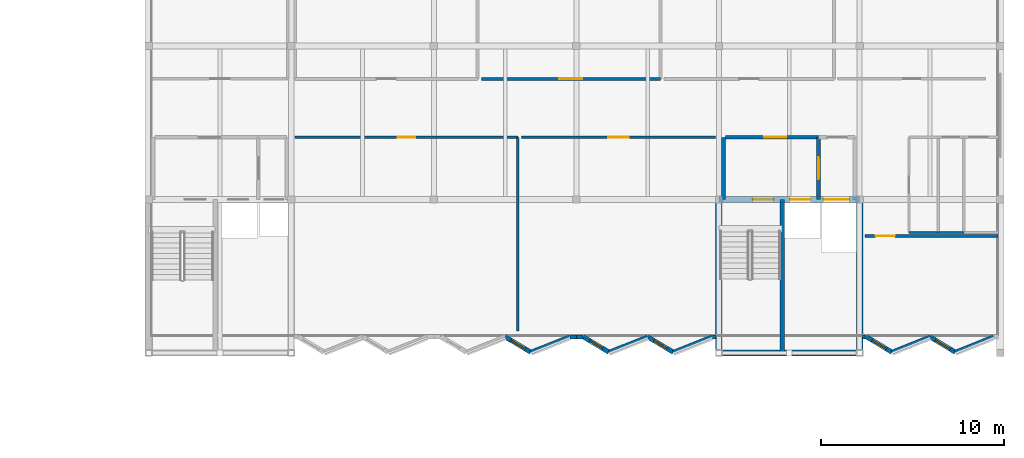
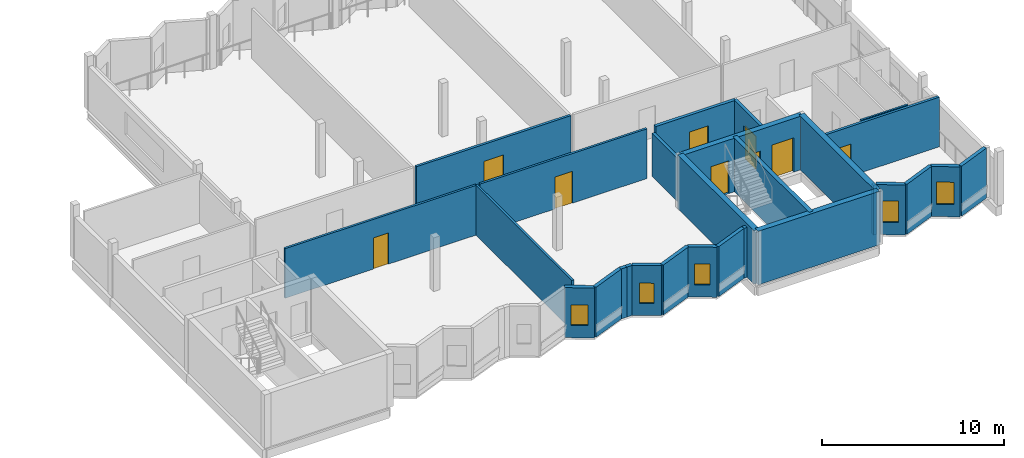
# One storey, part 8 of 15: 29 walls, 9 doors, 5 windows, 14 openings.
"""IFC4 building model written with IfcOpenShell, lengths in metres."""

from ifc_helpers import new_model, si_unit, direction, frame, frame_2d, origin, place, context, subcontext, project, spatial, rectangle, extrude, material, layer, layer_set, type_object, element, fill, save


model = new_model("IFC4")

# Units and contexts
model_context = context("Model", 3, precision=1e-05, world=origin(), true_north=direction((0.0, 1.0)))
body_context = subcontext(model_context, "Body", "Model", "MODEL_VIEW")
ifc_project = project(units=[si_unit("LENGTHUNIT", "METRE"), si_unit("AREAUNIT", "SQUARE_METRE"), si_unit("VOLUMEUNIT", "CUBIC_METRE"), si_unit("PLANEANGLEUNIT", "RADIAN"), si_unit("MASSUNIT", "GRAM", prefix="KILO")], contexts=[model_context])

# Site, building, storey
site_placement = place(None, origin())
site = spatial("IfcSite", under=ifc_project, at=site_placement, CompositionType="ELEMENT")
building_placement = place(site_placement, origin())
building = spatial("IfcBuilding", under=site, at=building_placement, Name="Vharandega Faculty of Natural Sciences", CompositionType="ELEMENT")
storey_placement = place(building_placement, frame((0.0, 0.0, 32.39990234375)))
storey = spatial("IfcBuildingStorey", under=building, at=storey_placement, Name="L08", CompositionType="ELEMENT", Elevation=32.39990234375)

# Walls
ifc_material_1 = material(Name="Concrete C40/50", Category="concrete")
ifc_layer_1 = layer(ifc_material_1, 0.35009765625, Name="Concrete C40/50")
ifc_layer_set_1 = layer_set([ifc_layer_1], Name="Concrete C40/50")
wall_type_1 = type_object("IfcWallType", Name="Core Shear Wall 350", PredefinedType="SHEAR", material=ifc_layer_set_1)
wall_1_placement = place(storey_placement, frame((146.0, 64.0, 0.0), z_axis=(0.0, 0.0, 1.0), x_axis=(1.0, 0.0, 0.0)))
element("IfcWall", 1, at=wall_1_placement, inside=storey, type_object=wall_type_1, Name="Interior Wall CW-C2-L08-S", PredefinedType="SHEAR", context=body_context, shape_type="SweptSolid", body=[
    extrude(rectangle(XDim=7.699951171875, YDim=0.35009765625, at=frame_2d((3.85009765625, 0.0))), origin(), (0.0, 0.0, 1.0), 3.60009765625),
])
for number, where, z_axis, x_axis, name in (
    (2, (146.0, 64.0, 0.0), (0.0, 0.0, 1.0), (0.0, 1.0, 0.0), "Interior Wall CW-C2-L08-W"),
    (3, (153.699951171875, 64.0, 0.0), (0.0, 0.0, 1.0), (0.0, 1.0, 0.0), "Interior Wall CW-C2-L08-E"),
):
    element("IfcWall", number, at=place(storey_placement, frame(where, z_axis=z_axis, x_axis=x_axis)), inside=storey, type_object=wall_type_1, Name=name, PredefinedType="SHEAR", context=body_context, shape_type="SweptSolid", body=[
        extrude(rectangle(XDim=8.39990234375, YDim=0.35009765625, at=frame_2d((4.199951171875, 0.0))), origin(), (0.0, 0.0, 1.0), 3.60009765625),
    ])

# Wall, openings, doors
wall_2_placement = place(storey_placement, frame((146.0, 72.39990234375, 0.0), z_axis=(0.0, 0.0, 1.0), x_axis=(1.0, 0.0, 0.0)))
wall_2 = element("IfcWall", 4, at=wall_2_placement, inside=storey, type_object=wall_type_1, Name="Interior Wall CW-C2-L08-N", PredefinedType="SHEAR", context=body_context, shape_type="SweptSolid", body=[
    extrude(rectangle(XDim=7.699951171875, YDim=0.35009765625, at=frame_2d((3.85009765625, 0.0))), origin(), (0.0, 0.0, 1.0), 3.60009765625),
])
opening_1_placement = place(wall_2_placement, frame((1.85009765625, 0.0, 0.0)))
opening_1 = element("IfcOpeningElement", 5, at=opening_1_placement, cuts=wall_2, Name="Opening FD1", PredefinedType="OPENING", context=body_context, shape_type="SweptSolid", body=[
    extrude(rectangle(XDim=1.14990234375, YDim=2.199951171875, at=frame_2d((0.574951171875, 1.10009765625))), frame((0.0, 0.18505859375, 0.0), z_axis=(0.0, -1.0, 0.0), x_axis=(1.0, 0.0, 0.0)), (0.0, 0.0, 1.0), 0.3701171875),
])
opening_2_placement = place(wall_2_placement, frame((3.89990234375, 0.0, 0.0)))
opening_2 = element("IfcOpeningElement", 6, at=opening_2_placement, cuts=wall_2, Name="Opening LD-FL2-L08", PredefinedType="OPENING", context=body_context, shape_type="SweptSolid", body=[
    extrude(rectangle(XDim=1.10009765625, YDim=2.14990234375, at=frame_2d((0.550048828125, 1.074951171875))), frame((0.0, 0.18505859375, 0.0), z_axis=(0.0, -1.0, 0.0), x_axis=(1.0, 0.0, 0.0)), (0.0, 0.0, 1.0), 0.3701171875),
])
opening_3_placement = place(wall_2_placement, frame((5.719970703125, 0.0, 0.0)))
opening_3 = element("IfcOpeningElement", 7, at=opening_3_placement, cuts=wall_2, Name="Opening LD-LG1-L08", PredefinedType="OPENING", context=body_context, shape_type="SweptSolid", body=[
    extrude(rectangle(XDim=1.39990234375, YDim=2.300048828125, at=frame_2d((0.699951171875, 1.14990234375))), frame((0.0, 0.18505859375, 0.0), z_axis=(0.0, -1.0, 0.0), x_axis=(1.0, 0.0, 0.0)), (0.0, 0.0, 1.0), 0.3701171875),
])
ifc_material_2 = material(Name="Solid-core hardwood timber fire door", Category="wood")
door_type_1 = type_object("IfcDoorType", Name="FD1-STAIR-1150x2200", OperationType="NOTDEFINED", PredefinedType="DOOR", material=ifc_material_2)
door_1_placement = place(opening_1_placement, origin())
door_1 = element("IfcDoor", 8, at=door_1_placement, inside=storey, type_object=door_type_1, Name="Stair ST2 Fire Door FD1", OperationType="SINGLE_SWING_LEFT", OverallHeight=2.199951171875, OverallWidth=1.14990234375, PredefinedType="DOOR", context=body_context, shape_type="SweptSolid", body=[
    extrude(rectangle(XDim=1.14990234375, YDim=2.199951171875, at=frame_2d((0.574951171875, 1.10009765625))), frame((0.0, 0.02490234375, 0.0), z_axis=(0.0, -1.0, 0.0), x_axis=(1.0, 0.0, 0.0)), (0.0, 0.0, 1.0), 0.050048828125),
])
fill(opening_1, door_1)
ifc_material_3 = material(Name="Brushed stainless steel sliding landing door", Category="steel")
door_type_2 = type_object("IfcDoorType", Name="LD1-FFLIFT-SLIDING-1100x2150", OperationType="DOUBLE_DOOR_SLIDING", PredefinedType="DOOR", material=ifc_material_3)
door_2_placement = place(opening_2_placement, origin())
door_2 = element("IfcDoor", 9, at=door_2_placement, inside=storey, type_object=door_type_2, Name="Lift Landing Door LD-FL2-L08", OperationType="DOUBLE_DOOR_SLIDING", OverallHeight=2.14990234375, OverallWidth=1.10009765625, PredefinedType="DOOR", context=body_context, shape_type="SweptSolid", body=[
    extrude(rectangle(XDim=1.10009765625, YDim=2.14990234375, at=frame_2d((0.550048828125, 1.074951171875))), frame((0.0, 0.02490234375, 0.0), z_axis=(0.0, -1.0, 0.0), x_axis=(1.0, 0.0, 0.0)), (0.0, 0.0, 1.0), 0.050048828125),
])
fill(opening_2, door_2)
ifc_material_4 = material(Name="Brushed stainless steel sliding landing door", Category="steel")
door_type_3 = type_object("IfcDoorType", Name="LD3-GOODSLIFT-SLIDING-1400x2300", OperationType="DOUBLE_DOOR_SLIDING", PredefinedType="DOOR", material=ifc_material_4)
door_3_placement = place(opening_3_placement, origin())
door_3 = element("IfcDoor", 10, at=door_3_placement, inside=storey, type_object=door_type_3, Name="Lift Landing Door LD-LG1-L08", OperationType="DOUBLE_DOOR_SLIDING", OverallHeight=2.300048828125, OverallWidth=1.39990234375, PredefinedType="DOOR", context=body_context, shape_type="SweptSolid", body=[
    extrude(rectangle(XDim=1.39990234375, YDim=2.300048828125, at=frame_2d((0.699951171875, 1.14990234375))), frame((0.0, 0.02490234375, 0.0), z_axis=(0.0, -1.0, 0.0), x_axis=(1.0, 0.0, 0.0)), (0.0, 0.0, 1.0), 0.050048828125),
])
fill(opening_3, door_3)

# Wall, opening, door
ifc_material_5 = material(Name="Concrete C40/50", Category="concrete")
ifc_layer_2 = layer(ifc_material_5, 0.199951171875, Name="Concrete C40/50")
ifc_layer_set_2 = layer_set([ifc_layer_2], Name="Concrete C40/50")
wall_type_2 = type_object("IfcWallType", Name="Firefighting Lobby Wall 200", PredefinedType="PARTITIONING", material=ifc_layer_set_2)
wall_3_placement = place(storey_placement, frame((146.35009765625, 75.800048828125, 0.0), z_axis=(0.0, 0.0, 1.0), x_axis=(1.0, 0.0, 0.0)))
wall_3 = element("IfcWall", 11, at=wall_3_placement, inside=storey, type_object=wall_type_2, Name="Interior Wall PW-FFL-C2-L08-N", PredefinedType="PARTITIONING", context=body_context, shape_type="SweptSolid", body=[
    extrude(rectangle(XDim=5.099853515625, YDim=0.199951171875, at=frame_2d((2.5498046875, 0.0))), origin(), (0.0, 0.0, 1.0), 3.320068359375),
])
opening_4_placement = place(wall_3_placement, frame((2.125, 0.0, 0.0)))
opening_4 = element("IfcOpeningElement", 12, at=opening_4_placement, cuts=wall_3, Name="Opening FD2", PredefinedType="OPENING", context=body_context, shape_type="SweptSolid", body=[
    extrude(rectangle(XDim=1.199951171875, YDim=2.199951171875, at=frame_2d((0.60009765625, 1.10009765625))), frame((0.0, 0.10986328125, 0.0), z_axis=(0.0, -1.0, 0.0), x_axis=(1.0, 0.0, 0.0)), (0.0, 0.0, 1.0), 0.219970703125),
])
ifc_material_6 = material(Name="Solid-core hardwood timber fire door", Category="wood")
door_type_4 = type_object("IfcDoorType", Name="FD2-FFLOBBY-1200x2200", OperationType="NOTDEFINED", PredefinedType="DOOR", material=ifc_material_6)
door_4_placement = place(opening_4_placement, origin())
door_4 = element("IfcDoor", 13, at=door_4_placement, inside=storey, type_object=door_type_4, Name="Firefighting Lobby C2 Door FD2", OperationType="SINGLE_SWING_RIGHT", OverallHeight=2.199951171875, OverallWidth=1.199951171875, PredefinedType="DOOR", context=body_context, shape_type="SweptSolid", body=[
    extrude(rectangle(XDim=1.199951171875, YDim=2.199951171875, at=frame_2d((0.60009765625, 1.10009765625))), frame((0.0, 0.02490234375, 0.0), z_axis=(0.0, -1.0, 0.0), x_axis=(1.0, 0.0, 0.0)), (0.0, 0.0, 1.0), 0.050048828125),
])
fill(opening_4, door_4)

# Wall
wall_4_placement = place(storey_placement, frame((146.25, 72.39990234375, 0.0), z_axis=(0.0, 0.0, 1.0), x_axis=(0.0, 1.0, 0.0)))
element("IfcWall", 14, at=wall_4_placement, inside=storey, type_object=wall_type_2, Name="Interior Wall PW-FFL-C2-L08-W", PredefinedType="PARTITIONING", context=body_context, shape_type="SweptSolid", body=[
    extrude(rectangle(XDim=3.400146484375, YDim=0.199951171875, at=frame_2d((1.7001953125, 0.0))), origin(), (0.0, 0.0, 1.0), 2.880126953125),
])

# Wall, opening, door
wall_5_placement = place(storey_placement, frame((151.449951171875, 72.39990234375, 0.0), z_axis=(0.0, 0.0, 1.0), x_axis=(0.0, 1.0, 0.0)))
wall_5 = element("IfcWall", 15, at=wall_5_placement, inside=storey, type_object=wall_type_2, Name="Interior Wall PW-FFL-C2-L08-E", PredefinedType="PARTITIONING", context=body_context, shape_type="SweptSolid", body=[
    extrude(rectangle(XDim=3.400146484375, YDim=0.199951171875, at=frame_2d((1.7001953125, 0.0))), origin(), (0.0, 0.0, 1.0), 3.320068359375),
])
opening_5_placement = place(wall_5_placement, frame((1.10009765625, 0.0, 0.0)))
opening_5 = element("IfcOpeningElement", 16, at=opening_5_placement, cuts=wall_5, Name="Opening FD2", PredefinedType="OPENING", context=body_context, shape_type="SweptSolid", body=[
    extrude(rectangle(XDim=1.199951171875, YDim=2.199951171875, at=frame_2d((0.60009765625, 1.10009765625))), frame((0.0, 0.10986328125, 0.0), z_axis=(0.0, -1.0, 0.0), x_axis=(1.0, 0.0, 0.0)), (0.0, 0.0, 1.0), 0.219970703125),
])
door_5_placement = place(opening_5_placement, origin())
door_5 = element("IfcDoor", 17, at=door_5_placement, inside=storey, type_object=door_type_4, Name="Lobby Interconnect C2 Door FD2", OperationType="SINGLE_SWING_LEFT", OverallHeight=2.199951171875, OverallWidth=1.199951171875, PredefinedType="DOOR", context=body_context, shape_type="SweptSolid", body=[
    extrude(rectangle(XDim=1.199951171875, YDim=2.199951171875, at=frame_2d((0.60009765625, 1.10009765625))), frame((0.0, 0.02490234375, 0.0), z_axis=(0.0, -1.0, 0.0), x_axis=(1.0, 0.0, 0.0)), (0.0, 0.0, 1.0), 0.050048828125),
])
fill(opening_5, door_5)

ifc_material_7 = material(Name="Gypsum fire-board on steel stud", Category="steel")
ifc_layer_3 = layer(ifc_material_7, 0.159912109375, Name="Gypsum fire-board on steel stud")
ifc_layer_set_3 = layer_set([ifc_layer_3], Name="Gypsum fire-board on steel stud")
wall_type_3 = type_object("IfcWallType", Name="Laboratory Fire Corridor Wall 160", PredefinedType="PARTITIONING", material=ifc_layer_set_3)
wall_6_placement = place(storey_placement, frame((154.0, 70.39990234375, 0.0), z_axis=(0.0, 0.0, 1.0), x_axis=(1.0, 0.0, 0.0)))
wall_6 = element("IfcWall", 18, at=wall_6_placement, inside=storey, type_object=wall_type_3, Name="Interior Wall PW-L08-R07N", PredefinedType="PARTITIONING", context=body_context, shape_type="SweptSolid", body=[
    extrude(rectangle(XDim=7.260009765625, YDim=0.159912109375, at=frame_2d((3.6298828125, 0.0))), origin(), (0.0, 0.0, 1.0), 3.340087890625),
])
opening_6_placement = place(wall_6_placement, frame((0.574951171875, 0.0, 0.0)))
opening_6 = element("IfcOpeningElement", 19, at=opening_6_placement, cuts=wall_6, Name="Opening FD4", PredefinedType="OPENING", context=body_context, shape_type="SweptSolid", body=[
    extrude(rectangle(XDim=1.050048828125, YDim=2.14990234375, at=frame_2d((0.52490234375, 1.074951171875))), frame((0.0, 0.08984375, 0.0), z_axis=(0.0, -1.0, 0.0), x_axis=(1.0, 0.0, 0.0)), (0.0, 0.0, 1.0), 0.179931640625),
])
ifc_material_8 = material(Name="Solid-core hardwood timber fire door", Category="wood")
door_type_5 = type_object("IfcDoorType", Name="FD4-LAB-SGL-1050x2150", OperationType="NOTDEFINED", PredefinedType="DOOR", material=ifc_material_8)
door_6_placement = place(opening_6_placement, origin())
door_6 = element("IfcDoor", 20, at=door_6_placement, inside=storey, type_object=door_type_5, Name="L08 Laboratory Reagent Store Door FD4", OperationType="SINGLE_SWING_RIGHT", OverallHeight=2.14990234375, OverallWidth=1.050048828125, PredefinedType="DOOR", context=body_context, shape_type="SweptSolid", body=[
    extrude(rectangle(XDim=1.050048828125, YDim=2.14990234375, at=frame_2d((0.52490234375, 1.074951171875))), frame((0.0, 0.02490234375, 0.0), z_axis=(0.0, -1.0, 0.0), x_axis=(1.0, 0.0, 0.0)), (0.0, 0.0, 1.0), 0.050048828125),
])
fill(opening_6, door_6)

wall_7_placement = place(storey_placement, frame((133.0, 79.0, 0.0), z_axis=(0.0, 0.0, 1.0), x_axis=(1.0, 0.0, 0.0)))
wall_7 = element("IfcWall", 21, at=wall_7_placement, inside=storey, type_object=wall_type_3, Name="Interior Wall PW-L08-R09S", PredefinedType="PARTITIONING", context=body_context, shape_type="SweptSolid", body=[
    extrude(rectangle(XDim=9.800048828125, YDim=0.159912109375, at=frame_2d((4.89990234375, 0.0))), origin(), (0.0, 0.0, 1.0), 3.340087890625),
])
opening_7_placement = place(wall_7_placement, frame((4.27490234375, 0.0, 0.0)))
opening_7 = element("IfcOpeningElement", 22, at=opening_7_placement, cuts=wall_7, Name="Opening D0359", PredefinedType="OPENING", context=body_context, shape_type="SweptSolid", body=[
    extrude(rectangle(XDim=1.25, YDim=2.199951171875, at=frame_2d((0.625, 1.10009765625))), frame((0.0, 0.08984375, 0.0), z_axis=(0.0, -1.0, 0.0), x_axis=(1.0, 0.0, 0.0)), (0.0, 0.0, 1.0), 0.179931640625),
])
ifc_material_9 = material(Name="Solid-core hardwood timber fire door", Category="wood")
door_type_6 = type_object("IfcDoorType", Name="ID13-PREP-1250x2200", OperationType="NOTDEFINED", PredefinedType="DOOR", material=ifc_material_9)
door_7_placement = place(opening_7_placement, origin())
door_7 = element("IfcDoor", 23, at=door_7_placement, inside=storey, type_object=door_type_6, Name="Hydrogeology and Water Quality Laboratory Door D0359", OperationType="SINGLE_SWING_RIGHT", OverallHeight=2.199951171875, OverallWidth=1.25, PredefinedType="DOOR", context=body_context, shape_type="SweptSolid", body=[
    extrude(rectangle(XDim=1.25, YDim=2.199951171875, at=frame_2d((0.625, 1.10009765625))), frame((0.0, 0.02490234375, 0.0), z_axis=(0.0, -1.0, 0.0), x_axis=(1.0, 0.0, 0.0)), (0.0, 0.0, 1.0), 0.050048828125),
])
fill(opening_7, door_7)

# Wall
ifc_material_10 = material(Name="Concrete C40/50", Category="concrete")
ifc_layer_4 = layer(ifc_material_10, 0.260009765625, Name="Concrete C40/50")
ifc_layer_set_4 = layer_set([ifc_layer_4], Name="Concrete C40/50")
wall_type_4 = type_object("IfcWallType", Name="Lift Shaft Shear Wall 260", PredefinedType="SHEAR", material=ifc_layer_set_4)
wall_8_placement = place(storey_placement, frame((149.4599609375, 64.0, 0.0), z_axis=(0.0, 0.0, 1.0), x_axis=(0.0, 1.0, 0.0)))
element("IfcWall", 24, at=wall_8_placement, inside=storey, type_object=wall_type_4, Name="Interior Wall CW-C2-L08-DIV", PredefinedType="SHEAR", context=body_context, shape_type="SweptSolid", body=[
    extrude(rectangle(XDim=8.39990234375, YDim=0.260009765625, at=frame_2d((4.199951171875, 0.0))), origin(), (0.0, 0.0, 1.0), 3.60009765625),
])

# Wall, opening, door
ifc_material_11 = material(Name="Gypsum acoustic partition", Category="gypsum")
ifc_layer_5 = layer(ifc_material_11, 0.139892578125, Name="Gypsum acoustic partition")
ifc_layer_set_5 = layer_set([ifc_layer_5], Name="Gypsum acoustic partition")
wall_type_5 = type_object("IfcWallType", Name="Room Partition Wall 140", PredefinedType="PARTITIONING", material=ifc_layer_set_5)
wall_9_placement = place(storey_placement, frame((122.800048828125, 75.800048828125, 0.0), z_axis=(0.0, 0.0, 1.0), x_axis=(1.0, 0.0, 0.0)))
wall_9 = element("IfcWall", 25, at=wall_9_placement, inside=storey, type_object=wall_type_5, Name="Interior Wall PW-L08-R02N", PredefinedType="PARTITIONING", context=body_context, shape_type="SweptSolid", body=[
    extrude(rectangle(XDim=12.199951171875, YDim=0.139892578125, at=frame_2d((6.10009765625, 0.0))), origin(), (0.0, 0.0, 1.0), 3.340087890625),
])
opening_8_placement = place(wall_9_placement, frame((5.625, 0.0, 0.0)))
opening_8 = element("IfcOpeningElement", 26, at=opening_8_placement, cuts=wall_9, Name="Opening D0352", PredefinedType="OPENING", context=body_context, shape_type="SweptSolid", body=[
    extrude(rectangle(XDim=0.949951171875, YDim=2.10009765625, at=frame_2d((0.47509765625, 1.050048828125))), frame((0.0, 0.080078125, 0.0), z_axis=(0.0, -1.0, 0.0), x_axis=(1.0, 0.0, 0.0)), (0.0, 0.0, 1.0), 0.159912109375),
])
ifc_material_12 = material(Name="Solid-core hardwood timber fire door", Category="wood")
door_type_7 = type_object("IfcDoorType", Name="ID04-OFFICE-0950x2100", OperationType="NOTDEFINED", PredefinedType="DOOR", material=ifc_material_12)
door_8_placement = place(opening_8_placement, origin())
door_8 = element("IfcDoor", 27, at=door_8_placement, inside=storey, type_object=door_type_7, Name="Research Seminar Room 801 Door D0352", OperationType="SINGLE_SWING_LEFT", OverallHeight=2.10009765625, OverallWidth=0.949951171875, PredefinedType="DOOR", context=body_context, shape_type="SweptSolid", body=[
    extrude(rectangle(XDim=0.949951171875, YDim=2.10009765625, at=frame_2d((0.47509765625, 1.050048828125))), frame((0.0, 0.02490234375, 0.0), z_axis=(0.0, -1.0, 0.0), x_axis=(1.0, 0.0, 0.0)), (0.0, 0.0, 1.0), 0.050048828125),
])
fill(opening_8, door_8)

# Wall
wall_10_placement = place(storey_placement, frame((135.0, 65.199951171875, 0.0), z_axis=(0.0, 0.0, 1.0), x_axis=(0.0, 1.0, 0.0)))
element("IfcWall", 28, at=wall_10_placement, inside=storey, type_object=wall_type_5, Name="Interior Wall PW-L08-R02E", PredefinedType="PARTITIONING", context=body_context, shape_type="SweptSolid", body=[
    extrude(rectangle(XDim=10.60009765625, YDim=0.139892578125, at=frame_2d((5.300048828125, 0.0))), origin(), (0.0, 0.0, 1.0), 3.340087890625),
])

# Wall, opening, door
wall_11_placement = place(storey_placement, frame((135.199951171875, 75.800048828125, 0.0), z_axis=(0.0, 0.0, 1.0), x_axis=(1.0, 0.0, 0.0)))
wall_11 = element("IfcWall", 29, at=wall_11_placement, inside=storey, type_object=wall_type_5, Name="Interior Wall PW-L08-R03N", PredefinedType="PARTITIONING", context=body_context, shape_type="SweptSolid", body=[
    extrude(rectangle(XDim=10.60009765625, YDim=0.139892578125, at=frame_2d((5.300048828125, 0.0))), origin(), (0.0, 0.0, 1.0), 3.340087890625),
])
opening_9_placement = place(wall_11_placement, frame((4.739990234375, 0.0, 0.0)))
opening_9 = element("IfcOpeningElement", 30, at=opening_9_placement, cuts=wall_11, Name="Opening D0353", PredefinedType="OPENING", context=body_context, shape_type="SweptSolid", body=[
    extrude(rectangle(XDim=1.1201171875, YDim=2.14990234375, at=frame_2d((0.56005859375, 1.074951171875))), frame((0.0, 0.080078125, 0.0), z_axis=(0.0, -1.0, 0.0), x_axis=(1.0, 0.0, 0.0)), (0.0, 0.0, 1.0), 0.159912109375),
])
ifc_material_13 = material(Name="Solid-core hardwood timber fire door", Category="wood")
door_type_8 = type_object("IfcDoorType", Name="ID12-STUDIO-1120x2150", OperationType="NOTDEFINED", PredefinedType="DOOR", material=ifc_material_13)
door_9_placement = place(opening_9_placement, origin())
door_9 = element("IfcDoor", 31, at=door_9_placement, inside=storey, type_object=door_type_8, Name="Research Write-Up Studio 8B Door D0353", OperationType="SINGLE_SWING_RIGHT", OverallHeight=2.14990234375, OverallWidth=1.1201171875, PredefinedType="DOOR", context=body_context, shape_type="SweptSolid", body=[
    extrude(rectangle(XDim=1.1201171875, YDim=2.14990234375, at=frame_2d((0.56005859375, 1.074951171875))), frame((0.0, 0.02490234375, 0.0), z_axis=(0.0, -1.0, 0.0), x_axis=(1.0, 0.0, 0.0)), (0.0, 0.0, 1.0), 0.050048828125),
])
fill(opening_9, door_9)

# Walls
ifc_material_14 = material(Name="Moisture-resistant gypsum partition", Category="gypsum")
ifc_layer_6 = layer(ifc_material_14, 0.1201171875, Name="Moisture-resistant gypsum partition")
ifc_layer_set_6 = layer_set([ifc_layer_6], Name="Moisture-resistant gypsum partition")
wall_type_6 = type_object("IfcWallType", Name="Sanitary Wet Wall 120", PredefinedType="PARTITIONING", material=ifc_layer_set_6)
wall_12_placement = place(storey_placement, frame((156.39990234375, 70.60009765625, 0.0), z_axis=(0.0, 0.0, 1.0), x_axis=(1.0, 0.0, 0.0)))
element("IfcWall", 32, at=wall_12_placement, inside=storey, type_object=wall_type_6, Name="Interior Wall PW-L08-R04S", PredefinedType="PARTITIONING", context=body_context, shape_type="SweptSolid", body=[
    extrude(rectangle(XDim=1.60009765625, YDim=0.1201171875, at=frame_2d((0.800048828125, 0.0))), origin(), (0.0, 0.0, 1.0), 3.340087890625),
])
wall_13_placement = place(storey_placement, frame((158.0, 70.60009765625, 0.0), z_axis=(0.0, 0.0, 1.0), x_axis=(1.0, 0.0, 0.0)))
element("IfcWall", 33, at=wall_13_placement, inside=storey, type_object=wall_type_6, Name="Interior Wall PW-L08-R05S", PredefinedType="PARTITIONING", context=body_context, shape_type="SweptSolid", body=[
    extrude(rectangle(XDim=1.39990234375, YDim=0.1201171875, at=frame_2d((0.699951171875, 0.0))), origin(), (0.0, 0.0, 1.0), 3.340087890625),
])

# Wall, opening, window
ifc_material_15 = material(Name="Precast concrete C40/50", Category="concrete")
ifc_layer_7 = layer(ifc_material_15, 0.25, Name="Precast concrete C40/50")
ifc_layer_set_7 = layer_set([ifc_layer_7], Name="Precast concrete C40/50")
wall_type_7 = type_object("IfcWallType", Name="Sawtooth Glazed-Face Precast Wall 250", PredefinedType="SOLIDWALL", material=ifc_layer_set_7)
wall_14_placement = place(storey_placement, frame((135.7080078125, 64.0400390625, 0.0), z_axis=(0.0, 0.0, 1.0), x_axis=(-0.858817206091, 0.512282155185, 0.0)))
wall_14 = element("IfcWall", 34, at=wall_14_placement, inside=storey, type_object=wall_type_7, Name="Exterior Wall EW-SAW-L08-S04G", PredefinedType="SOLIDWALL", context=body_context, shape_type="SweptSolid", body=[
    extrude(rectangle(XDim=1.639404296875, YDim=0.25, at=frame_2d((0.81982421875, 0.0))), origin(), (0.0, 0.0, 1.0), 3.360107421875),
])
opening_10_placement = place(wall_14_placement, frame((0.35986328125, 0.0, 0.820068359375)))
opening_10 = element("IfcOpeningElement", 35, at=opening_10_placement, cuts=wall_14, Name="Opening WN-06B", PredefinedType="OPENING", context=body_context, shape_type="SweptSolid", body=[
    extrude(rectangle(XDim=0.919921875, YDim=1.3798828125, at=frame_2d((0.4599609375, 0.68994140625))), frame((0.0, 0.135009765625, 0.0), z_axis=(0.0, -1.0, 0.0), x_axis=(1.0, 0.0, 0.0)), (0.0, 0.0, 1.0), 0.27001953125),
])
ifc_material_16 = material(Name="Double-glazed solar-control glass in thermally broken aluminium frame", Category="aluminium")
window_type_1 = type_object("IfcWindowType", Name="WIN-SAW-092x138", PartitioningType="SINGLE_PANEL", PredefinedType="WINDOW", material=ifc_material_16)
window_1_placement = place(opening_10_placement, origin())
window_1 = element("IfcWindow", 36, at=window_1_placement, inside=storey, type_object=window_type_1, Name="Window WIN-L08-0082", OverallHeight=1.3798828125, OverallWidth=0.919921875, PartitioningType="SINGLE_PANEL", PredefinedType="WINDOW", context=body_context, shape_type="SweptSolid", body=[
    extrude(rectangle(XDim=0.919921875, YDim=1.3798828125, at=frame_2d((0.4599609375, 0.68994140625))), frame((0.0, 0.030029296875, 0.0), z_axis=(0.0, -1.0, 0.0), x_axis=(1.0, 0.0, 0.0)), (0.0, 0.0, 1.0), 0.06005859375),
])
fill(opening_10, window_1)

wall_15_placement = place(storey_placement, frame((139.988037109375, 64.0400390625, 0.0), z_axis=(0.0, 0.0, 1.0), x_axis=(-0.858817206091, 0.512282155185, 0.0)))
wall_15 = element("IfcWall", 37, at=wall_15_placement, inside=storey, type_object=wall_type_7, Name="Exterior Wall EW-SAW-L08-S05G", PredefinedType="SOLIDWALL", context=body_context, shape_type="SweptSolid", body=[
    extrude(rectangle(XDim=1.639404296875, YDim=0.25, at=frame_2d((0.81982421875, 0.0))), origin(), (0.0, 0.0, 1.0), 3.360107421875),
])
opening_11_placement = place(wall_15_placement, frame((0.419921875, 0.0, 0.820068359375)))
opening_11 = element("IfcOpeningElement", 38, at=opening_11_placement, cuts=wall_15, Name="Opening WN-01", PredefinedType="OPENING", context=body_context, shape_type="SweptSolid", body=[
    extrude(rectangle(XDim=0.800048828125, YDim=1.35009765625, at=frame_2d((0.39990234375, 0.675048828125))), frame((0.0, 0.135009765625, 0.0), z_axis=(0.0, -1.0, 0.0), x_axis=(1.0, 0.0, 0.0)), (0.0, 0.0, 1.0), 0.27001953125),
])
ifc_material_17 = material(Name="Double-glazed solar-control glass in thermally broken aluminium frame", Category="aluminium")
window_type_2 = type_object("IfcWindowType", Name="WIN-SAW-080x135", PartitioningType="SINGLE_PANEL", PredefinedType="WINDOW", material=ifc_material_17)
window_2_placement = place(opening_11_placement, origin())
window_2 = element("IfcWindow", 39, at=window_2_placement, inside=storey, type_object=window_type_2, Name="Window WIN-L08-0083", OverallHeight=1.35009765625, OverallWidth=0.800048828125, PartitioningType="SINGLE_PANEL", PredefinedType="WINDOW", context=body_context, shape_type="SweptSolid", body=[
    extrude(rectangle(XDim=0.800048828125, YDim=1.35009765625, at=frame_2d((0.39990234375, 0.675048828125))), frame((0.0, 0.030029296875, 0.0), z_axis=(0.0, -1.0, 0.0), x_axis=(1.0, 0.0, 0.0)), (0.0, 0.0, 1.0), 0.06005859375),
])
fill(opening_11, window_2)

wall_16_placement = place(storey_placement, frame((143.508056640625, 64.0400390625, 0.0), z_axis=(0.0, 0.0, 1.0), x_axis=(-0.858817206091, 0.512282155185, 0.0)))
wall_16 = element("IfcWall", 40, at=wall_16_placement, inside=storey, type_object=wall_type_7, Name="Exterior Wall EW-SAW-L08-S06G", PredefinedType="SOLIDWALL", context=body_context, shape_type="SweptSolid", body=[
    extrude(rectangle(XDim=1.639404296875, YDim=0.25, at=frame_2d((0.81982421875, 0.0))), origin(), (0.0, 0.0, 1.0), 3.360107421875),
])
opening_12_placement = place(wall_16_placement, frame((0.394775390625, 0.0, 0.820068359375)))
opening_12 = element("IfcOpeningElement", 41, at=opening_12_placement, cuts=wall_16, Name="Opening WN-02", PredefinedType="OPENING", context=body_context, shape_type="SweptSolid", body=[
    extrude(rectangle(XDim=0.85009765625, YDim=1.39990234375, at=frame_2d((0.425048828125, 0.699951171875))), frame((0.0, 0.135009765625, 0.0), z_axis=(0.0, -1.0, 0.0), x_axis=(1.0, 0.0, 0.0)), (0.0, 0.0, 1.0), 0.27001953125),
])
ifc_material_18 = material(Name="Double-glazed solar-control glass in thermally broken aluminium frame", Category="aluminium")
window_type_3 = type_object("IfcWindowType", Name="WIN-SAW-085x140", PartitioningType="SINGLE_PANEL", PredefinedType="WINDOW", material=ifc_material_18)
window_3_placement = place(opening_12_placement, origin())
window_3 = element("IfcWindow", 42, at=window_3_placement, inside=storey, type_object=window_type_3, Name="Window WIN-L08-0084", OverallHeight=1.39990234375, OverallWidth=0.85009765625, PartitioningType="SINGLE_PANEL", PredefinedType="WINDOW", context=body_context, shape_type="SweptSolid", body=[
    extrude(rectangle(XDim=0.85009765625, YDim=1.39990234375, at=frame_2d((0.425048828125, 0.699951171875))), frame((0.0, 0.030029296875, 0.0), z_axis=(0.0, -1.0, 0.0), x_axis=(1.0, 0.0, 0.0)), (0.0, 0.0, 1.0), 0.06005859375),
])
fill(opening_12, window_3)

wall_17_placement = place(storey_placement, frame((155.468017578125, 64.0400390625, 0.0), z_axis=(0.0, 0.0, 1.0), x_axis=(-0.855561475997, 0.51770122734, 0.0)))
wall_17 = element("IfcWall", 43, at=wall_17_placement, inside=storey, type_object=wall_type_7, Name="Exterior Wall EW-SAW-L08-S07G", PredefinedType="SOLIDWALL", context=body_context, shape_type="SweptSolid", body=[
    extrude(rectangle(XDim=1.622314453125, YDim=0.25, at=frame_2d((0.81103515625, 0.0))), origin(), (0.0, 0.0, 1.0), 3.360107421875),
])
opening_13_placement = place(wall_17_placement, frame((0.361083984375, 0.0, 0.820068359375)))
opening_13 = element("IfcOpeningElement", 44, at=opening_13_placement, cuts=wall_17, Name="Opening WN-03", PredefinedType="OPENING", context=body_context, shape_type="SweptSolid", body=[
    extrude(rectangle(XDim=0.89990234375, YDim=1.449951171875, at=frame_2d((0.449951171875, 0.72509765625))), frame((0.0, 0.135009765625, 0.0), z_axis=(0.0, -1.0, 0.0), x_axis=(1.0, 0.0, 0.0)), (0.0, 0.0, 1.0), 0.27001953125),
])
ifc_material_19 = material(Name="Double-glazed solar-control glass in thermally broken aluminium frame", Category="aluminium")
window_type_4 = type_object("IfcWindowType", Name="WIN-SAW-090x145", PartitioningType="SINGLE_PANEL", PredefinedType="WINDOW", material=ifc_material_19)
window_4_placement = place(opening_13_placement, origin())
window_4 = element("IfcWindow", 45, at=window_4_placement, inside=storey, type_object=window_type_4, Name="Window WIN-L08-0085", OverallHeight=1.449951171875, OverallWidth=0.89990234375, PartitioningType="SINGLE_PANEL", PredefinedType="WINDOW", context=body_context, shape_type="SweptSolid", body=[
    extrude(rectangle(XDim=0.89990234375, YDim=1.449951171875, at=frame_2d((0.449951171875, 0.72509765625))), frame((0.0, 0.030029296875, 0.0), z_axis=(0.0, -1.0, 0.0), x_axis=(1.0, 0.0, 0.0)), (0.0, 0.0, 1.0), 0.06005859375),
])
fill(opening_13, window_4)

wall_18_placement = place(storey_placement, frame((158.93798828125, 64.0400390625, 0.0), z_axis=(0.0, 0.0, 1.0), x_axis=(-0.855561475997, 0.51770122734, 0.0)))
wall_18 = element("IfcWall", 46, at=wall_18_placement, inside=storey, type_object=wall_type_7, Name="Exterior Wall EW-SAW-L08-S08G", PredefinedType="SOLIDWALL", context=body_context, shape_type="SweptSolid", body=[
    extrude(rectangle(XDim=1.622314453125, YDim=0.25, at=frame_2d((0.81103515625, 0.0))), origin(), (0.0, 0.0, 1.0), 3.360107421875),
])
opening_14_placement = place(wall_18_placement, frame((0.336181640625, 0.0, 0.820068359375)))
opening_14 = element("IfcOpeningElement", 47, at=opening_14_placement, cuts=wall_18, Name="Opening WN-04", PredefinedType="OPENING", context=body_context, shape_type="SweptSolid", body=[
    extrude(rectangle(XDim=0.949951171875, YDim=1.5, at=frame_2d((0.47509765625, 0.75))), frame((0.0, 0.135009765625, 0.0), z_axis=(0.0, -1.0, 0.0), x_axis=(1.0, 0.0, 0.0)), (0.0, 0.0, 1.0), 0.27001953125),
])
ifc_material_20 = material(Name="Double-glazed solar-control glass in thermally broken aluminium frame", Category="aluminium")
window_type_5 = type_object("IfcWindowType", Name="WIN-SAW-095x150", PartitioningType="SINGLE_PANEL", PredefinedType="WINDOW", material=ifc_material_20)
window_5_placement = place(opening_14_placement, origin())
window_5 = element("IfcWindow", 48, at=window_5_placement, inside=storey, type_object=window_type_5, Name="Window WIN-L08-0086", OverallHeight=1.5, OverallWidth=0.949951171875, PartitioningType="SINGLE_PANEL", PredefinedType="WINDOW", context=body_context, shape_type="SweptSolid", body=[
    extrude(rectangle(XDim=0.949951171875, YDim=1.5, at=frame_2d((0.47509765625, 0.75))), frame((0.0, 0.030029296875, 0.0), z_axis=(0.0, -1.0, 0.0), x_axis=(1.0, 0.0, 0.0)), (0.0, 0.0, 1.0), 0.06005859375),
])
fill(opening_14, window_5)

# Walls
ifc_material_21 = material(Name="Precast concrete C40/50", Category="concrete")
ifc_layer_8 = layer(ifc_material_21, 0.22998046875, Name="Precast concrete C40/50")
ifc_layer_set_8 = layer_set([ifc_layer_8], Name="Precast concrete C40/50")
wall_type_8 = type_object("IfcWallType", Name="Sawtooth Solid White Precast Wall 230", PredefinedType="SOLIDWALL", material=ifc_layer_set_8)
wall_19_placement = place(storey_placement, frame((138.199951171875, 64.8798828125, 0.0), z_axis=(0.0, 0.0, 1.0), x_axis=(-1.0, 0.0, 0.0)))
element("IfcWall", 49, at=wall_19_placement, inside=storey, type_object=wall_type_8, Name="Exterior Wall EW-SHL-L08-S1718FR", PredefinedType="SOLIDWALL", context=body_context, shape_type="SweptSolid", body=[
    extrude(rectangle(XDim=0.35986328125, YDim=0.22998046875, at=frame_2d((0.179931640625, 0.0))), origin(), (0.0, 0.0, 1.0), 3.360107421875),
])
wall_20_placement = place(storey_placement, frame((138.550048828125, 64.8798828125, 0.0), z_axis=(0.0, 0.0, 1.0), x_axis=(-1.0, 0.0, 0.0)))
element("IfcWall", 50, at=wall_20_placement, inside=storey, type_object=wall_type_8, Name="Exterior Wall EW-SHL-L08-S1819FL", PredefinedType="SOLIDWALL", context=body_context, shape_type="SweptSolid", body=[
    extrude(rectangle(XDim=0.35009765625, YDim=0.22998046875, at=frame_2d((0.175048828125, 0.0))), origin(), (0.0, 0.0, 1.0), 3.360107421875),
])
wall_21_placement = place(storey_placement, frame((145.830078125, 64.8798828125, 0.0), z_axis=(0.0, 0.0, 1.0), x_axis=(-1.0, 0.0, 0.0)))
element("IfcWall", 51, at=wall_21_placement, inside=storey, type_object=wall_type_8, Name="Exterior Wall EW-SHL-L08-S1819FR", PredefinedType="SOLIDWALL", context=body_context, shape_type="SweptSolid", body=[
    extrude(rectangle(XDim=0.190185546875, YDim=0.22998046875, at=frame_2d((0.09521484375, 0.0))), origin(), (0.0, 0.0, 1.0), 3.360107421875),
])
wall_22_placement = place(storey_placement, frame((154.050048828125, 64.8798828125, 0.0), z_axis=(0.0, 0.0, 1.0), x_axis=(-1.0, 0.0, 0.0)))
element("IfcWall", 52, at=wall_22_placement, inside=storey, type_object=wall_type_8, Name="Exterior Wall EW-SHL-L08-S2021FL", PredefinedType="SOLIDWALL", context=body_context, shape_type="SweptSolid", body=[
    extrude(rectangle(XDim=0.179931640625, YDim=0.22998046875, at=frame_2d((0.08984375, 0.0))), origin(), (0.0, 0.0, 1.0), 3.360107421875),
])
for number, where, z_axis, x_axis, name in (
    (53, (137.820068359375, 64.8798828125, 0.0), (0.0, 0.0, 1.0), (-0.929230364612, -0.369500919462, 0.0), "Exterior Wall EW-SAW-L08-S04S"),
    (54, (142.10009765625, 64.8798828125, 0.0), (0.0, 0.0, 1.0), (-0.929230364612, -0.369500919462, 0.0), "Exterior Wall EW-SAW-L08-S05S"),
    (55, (145.6201171875, 64.8798828125, 0.0), (0.0, 0.0, 1.0), (-0.929230364612, -0.369500919462, 0.0), "Exterior Wall EW-SAW-L08-S06S"),
):
    element("IfcWall", number, at=place(storey_placement, frame(where, z_axis=z_axis, x_axis=x_axis)), inside=storey, type_object=wall_type_8, Name=name, PredefinedType="SOLIDWALL", context=body_context, shape_type="SweptSolid", body=[
        extrude(rectangle(XDim=2.27294921875, YDim=0.22998046875, at=frame_2d((1.136474609375, 0.0))), origin(), (0.0, 0.0, 1.0), 3.360107421875),
    ])
for number, where, z_axis, x_axis, name in (
    (56, (157.550048828125, 64.8798828125, 0.0), (0.0, 0.0, 1.0), (-0.927392797001, -0.374089026933, 0.0), "Exterior Wall EW-SAW-L08-S07S"),
    (57, (161.02001953125, 64.8798828125, 0.0), (0.0, 0.0, 1.0), (-0.927392797001, -0.374089026933, 0.0), "Exterior Wall EW-SAW-L08-S08S"),
):
    element("IfcWall", number, at=place(storey_placement, frame(where, z_axis=z_axis, x_axis=x_axis)), inside=storey, type_object=wall_type_8, Name=name, PredefinedType="SOLIDWALL", context=body_context, shape_type="SweptSolid", body=[
        extrude(rectangle(XDim=2.2451171875, YDim=0.22998046875, at=frame_2d((1.12255859375, 0.0))), origin(), (0.0, 0.0, 1.0), 3.360107421875),
    ])

save(model, "model.ifc")
